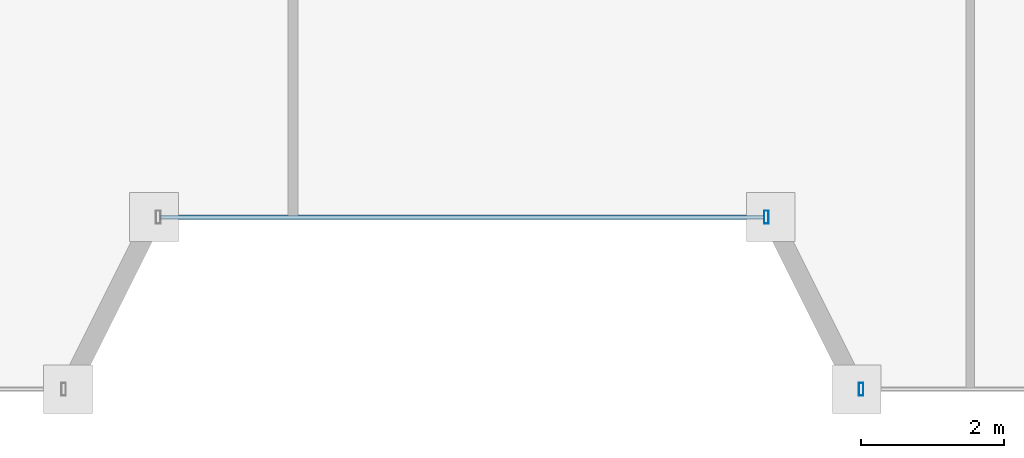
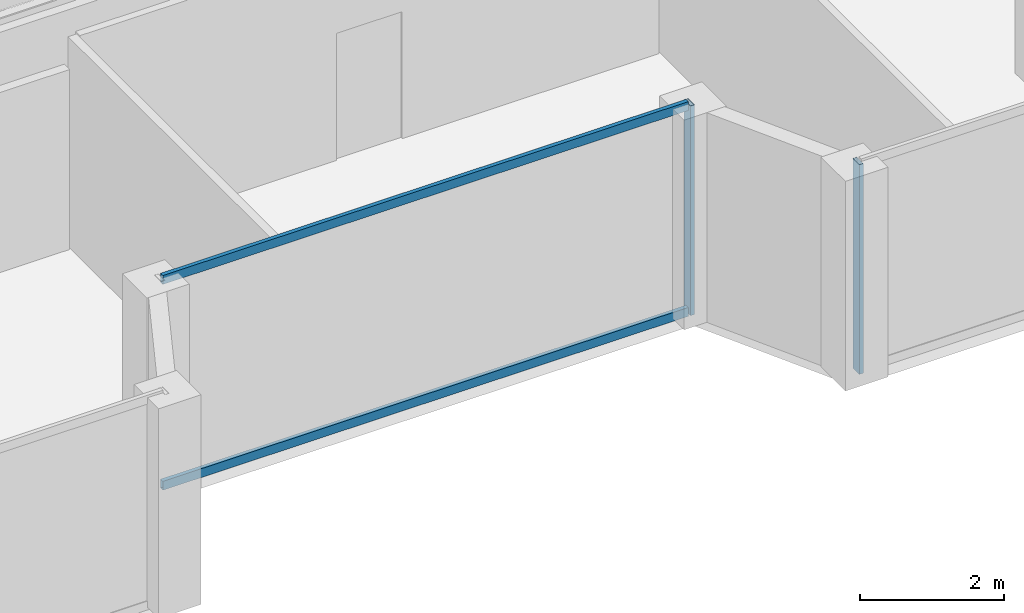
# One storey, part 7 of 24: 4 members, 2 elements without a shape of their own.
"""IFC4 building model written with IfcOpenShell, lengths in metres."""

from ifc_helpers import new_model, si_unit, direction, frame, origin, origin_2d, place, context, subcontext, project, spatial, hollow_rectangle, extrude, material, material_profile, profile_set, type_object, element, aggregate, save


model = new_model("IFC4")

# Units and contexts
model_context = context("Model", 3, precision=1e-05, world=origin(), true_north=direction((0.0, 1.0)))
body_context = subcontext(model_context, "Body", "Model", "MODEL_VIEW")
ifc_project = project(units=[si_unit("LENGTHUNIT", "METRE"), si_unit("AREAUNIT", "SQUARE_METRE"), si_unit("VOLUMEUNIT", "CUBIC_METRE"), si_unit("PLANEANGLEUNIT", "RADIAN"), si_unit("MASSUNIT", "GRAM", prefix="KILO")], contexts=[model_context])

# Site, building, storey
site_placement = place(None, origin())
site = spatial("IfcSite", under=ifc_project, at=site_placement, CompositionType="ELEMENT")
building_placement = place(site_placement, origin())
building = spatial("IfcBuilding", under=site, at=building_placement, Name="Saevonmaru Cultural Tower", CompositionType="ELEMENT")
storey_placement = place(building_placement, frame((0.0, 0.0, 299.0)))
storey = spatial("IfcBuildingStorey", under=building, at=storey_placement, Name="L71", CompositionType="ELEMENT", Elevation=299.0)

# Curtain wall, member
ifc_material = material(Name="Satin Bronze Anodised Aluminium", Category="aluminium")
curtain_wall_type = type_object("IfcCurtainWallType", Name="CW-TYP-B", PredefinedType="NOTDEFINED", material=ifc_material)
curtain_wall_1_placement = place(storey_placement, origin())
curtain_wall_1 = element("IfcCurtainWall", 1, at=curtain_wall_1_placement, inside=storey, type_object=curtain_wall_type, Name="L71 Unitised Curtain Wall E4", PredefinedType="NOTDEFINED")
ifc_material_profile_1 = material_profile(ifc_material, hollow_rectangle(XDim=0.06494140625, YDim=0.179931640625, WallThickness=0.00390625, at=origin_2d()), Name="ALU-MULL-180x65x4")
ifc_profile_set_1 = profile_set([ifc_material_profile_1], Name="Satin Bronze Anodised Aluminium")
member_type_1 = type_object("IfcMemberType", Name="ML-CW-180x65", PredefinedType="MULLION", material=ifc_profile_set_1)
member_1_placement = place(storey_placement, frame((34.239990234375, 35.0, 0.0), z_axis=(0.0, 0.0, 1.0), x_axis=(1.0, 0.0, 0.0)))
member_1 = element("IfcMember", 2, at=member_1_placement, type_object=member_type_1, Name="CW-TW-L71-E4 mullion 2", PredefinedType="MULLION", context=body_context, shape_type="SweptSolid", body=[
    extrude(hollow_rectangle(XDim=0.06494140625, YDim=0.179931640625, WallThickness=0.00390625, at=origin_2d()), origin(), (0.0, 0.0, 1.0), 3.550048828125),
])

curtain_wall_2_placement = place(storey_placement, origin())
curtain_wall_2 = element("IfcCurtainWall", 3, at=curtain_wall_2_placement, inside=storey, type_object=curtain_wall_type, Name="L71 Unitised Curtain Wall E6", PredefinedType="NOTDEFINED")
member_2_placement = place(storey_placement, frame((35.56005859375, 32.60009765625, 0.0), z_axis=(0.0, 0.0, 1.0), x_axis=(1.0, 0.0, 0.0)))
member_2 = element("IfcMember", 4, at=member_2_placement, type_object=member_type_1, Name="CW-TW-L71-E6 mullion 1", PredefinedType="MULLION", context=body_context, shape_type="SweptSolid", body=[
    extrude(hollow_rectangle(XDim=0.06494140625, YDim=0.179931640625, WallThickness=0.00390625, at=origin_2d()), origin(), (0.0, 0.0, 1.0), 3.550048828125),
])
aggregate(curtain_wall_2, [member_2])

# Member
ifc_material_profile_2 = material_profile(ifc_material, hollow_rectangle(XDim=0.06494140625, YDim=0.14990234375, WallThickness=0.00390625, at=origin_2d()), Name="ALU-TRAN-150x65x4")
ifc_profile_set_2 = profile_set([ifc_material_profile_2], Name="Satin Bronze Anodised Aluminium")
member_type_2 = type_object("IfcMemberType", Name="TR-CW-150x65", PredefinedType="USERDEFINED", material=ifc_profile_set_2)
member_3_placement = place(storey_placement, frame((25.79248046875, 35.0, 0.032470703125), z_axis=(1.0, 0.0, 0.0), x_axis=(0.0, 1.0, 0.0)))
member_3 = element("IfcMember", 5, at=member_3_placement, type_object=member_type_2, Name="CW-TW-L71-E4 transom 1.1", ObjectType="TRANSOM", PredefinedType="USERDEFINED", context=body_context, shape_type="SweptSolid", body=[
    extrude(hollow_rectangle(XDim=0.06494140625, YDim=0.14990234375, WallThickness=0.00390625, at=origin_2d()), origin(), (0.0, 0.0, 1.0), 8.4150390625),
])

member_4_placement = place(storey_placement, frame((25.79248046875, 35.0, 3.517578125), z_axis=(1.0, 0.0, 0.0), x_axis=(0.0, 1.0, 0.0)))
member_4 = element("IfcMember", 6, at=member_4_placement, type_object=member_type_2, Name="CW-TW-L71-E4 transom 1.2", ObjectType="TRANSOM", PredefinedType="USERDEFINED", context=body_context, shape_type="SweptSolid", body=[
    extrude(hollow_rectangle(XDim=0.06494140625, YDim=0.14990234375, WallThickness=0.00390625, at=origin_2d()), origin(), (0.0, 0.0, 1.0), 8.4150390625),
])

aggregate(curtain_wall_1, [member_1, member_3, member_4])

save(model, "model.ifc")
